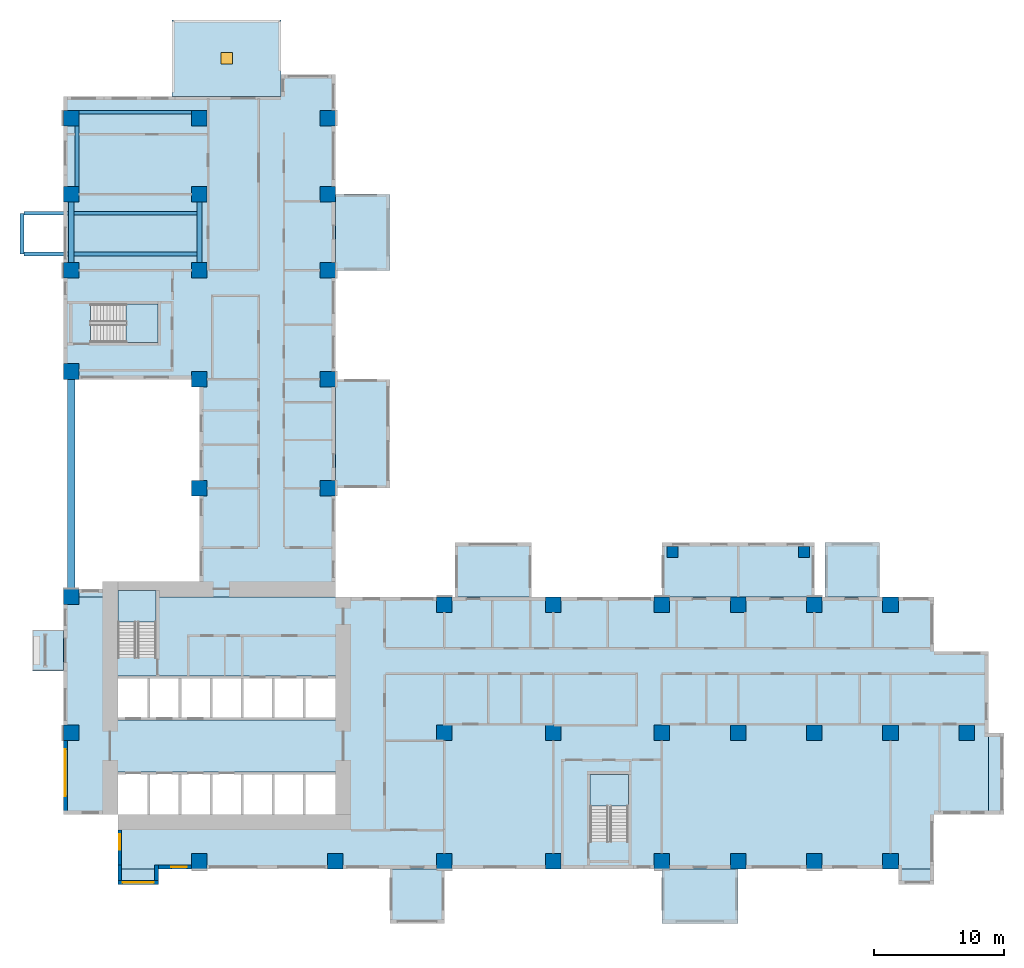
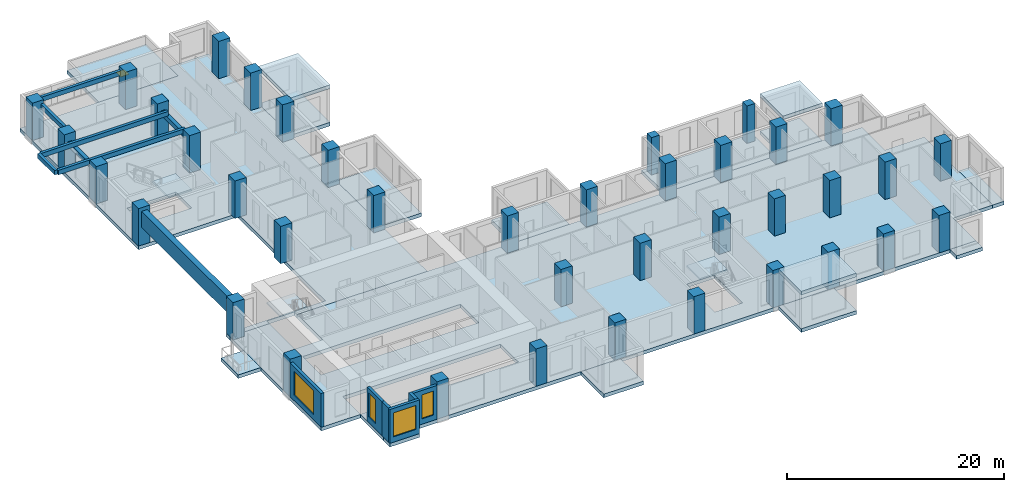
# One storey, part 1 of 14: 39 columns, 20 slabs, 6 beams, 6 walls, 5 windows, 2 members, 5 openings, 3 elements without a shape of their own.
"""IFC4 building model written with IfcOpenShell, lengths in metres."""

import ifcopenshell
import ifcopenshell.guid

model = None  # the IFC model being written
_history = None  # IfcOwnerHistory: only IFC2X3 demands one
_inside = {}  # id of a spatial element -> (the spatial element, [elements in it])
_under = {}  # id of a project, library or spatial element -> (it, [spatial elements below it])
_declared = {}  # id of a project -> (the project, [libraries it declares])
_typed = {}  # id of a type object -> (the type object, [elements of that type])
_made_of = {}  # id of a material, layer set ... -> (it, [elements and type objects made of it])


def new_model(schema):
    """Start an empty IFC model of exactly this schema.

    Asked for "IFC4X3", IfcOpenShell would pick the latest addendum, in which some entities
    have other attributes; the version numbers below select the first issue.
    IFC2X3 requires an IfcOwnerHistory on every rooted entity: one is made here for all.
    """
    global model, _history
    if schema == "IFC4X3":
        model = ifcopenshell.file(schema_version=(4, 3, 0, 0))
    else:
        model = ifcopenshell.file(schema=schema)
    _inside.clear()
    _under.clear()
    _declared.clear()
    _typed.clear()
    _made_of.clear()
    _history = None
    if model.schema == "IFC2X3":
        org = make("IfcOrganization", Name="unknown")
        user = make(
            "IfcPersonAndOrganization",
            ThePerson=make("IfcPerson", FamilyName="unknown"),
            TheOrganization=org,
        )
        app = make(
            "IfcApplication",
            ApplicationDeveloper=org,
            Version="unknown",
            ApplicationFullName="unknown",
            ApplicationIdentifier="unknown",
        )
        _history = make(
            "IfcOwnerHistory",
            OwningUser=user,
            OwningApplication=app,
            ChangeAction="ADDED",
            CreationDate=0,
        )
    return model


def make(cls, **values):
    """One entity of the class cls with the attributes given. An attribute that is None is left unset."""
    return model.create_entity(
        cls, **{name: value for name, value in values.items() if value is not None}
    )


def rooted(cls, **values):
    """An entity with a GlobalId (a new one), such as an element, a storey or a relation."""
    return make(cls, GlobalId=ifcopenshell.guid.new(), OwnerHistory=_history, **values)


def si_unit(unit_type, name, prefix=None):
    """IfcSIUnit, for example si_unit("LENGTHUNIT", "METRE", prefix="MILLI")."""
    return make("IfcSIUnit", UnitType=unit_type, Prefix=prefix, Name=name)


def assignment(units):
    """IfcUnitAssignment: the units of a project."""
    return None if units is None else make("IfcUnitAssignment", Units=units)


def point(xyz):
    """IfcCartesianPoint."""
    return None if xyz is None else make("IfcCartesianPoint", Coordinates=xyz)


def direction(xyz):
    """IfcDirection."""
    return None if xyz is None else make("IfcDirection", DirectionRatios=xyz)


def frame(location, z_axis=None, x_axis=None):
    """IfcAxis2Placement3D, a coordinate frame: its origin and axes. An axis left out is left unset."""
    return make(
        "IfcAxis2Placement3D",
        Location=point(location),
        Axis=direction(z_axis),
        RefDirection=direction(x_axis),
    )


def frame_2d(location, x_axis=None):
    """IfcAxis2Placement2D, a coordinate frame in the plane: its origin and x axis."""
    return make(
        "IfcAxis2Placement2D", Location=point(location), RefDirection=direction(x_axis)
    )


def origin():
    """The frame at (0, 0, 0) with its axes left unset."""
    return frame((0.0, 0.0, 0.0))


def origin_2d():
    """The frame at (0, 0) in the plane with its x axis left unset."""
    return frame_2d((0.0, 0.0))


def place(relative_to, where):
    """IfcLocalPlacement: puts the frame where relative to a parent placement (None: the world)."""
    return make(
        "IfcLocalPlacement", PlacementRelTo=relative_to, RelativePlacement=where
    )


def context(
    kind, dimensions, precision=None, world=None, true_north=None, identifier=None
):
    """IfcGeometricRepresentationContext, for example the 3D "Model" context."""
    return make(
        "IfcGeometricRepresentationContext",
        ContextIdentifier=identifier,
        ContextType=kind,
        CoordinateSpaceDimension=dimensions,
        Precision=precision,
        WorldCoordinateSystem=world,
        TrueNorth=true_north,
    )


def subcontext(parent, identifier, kind, view, scale=None):
    """IfcGeometricRepresentationSubContext, for example "Body" below "Model"."""
    return make(
        "IfcGeometricRepresentationSubContext",
        ContextIdentifier=identifier,
        ContextType=kind,
        ParentContext=parent,
        TargetScale=scale,
        TargetView=view,
    )


def project(units=None, contexts=None):
    """IfcProject with its units and contexts."""
    return rooted(
        "IfcProject",
        Name="project",
        RepresentationContexts=contexts,
        UnitsInContext=assignment(units),
    )


def spatial(cls, under=None, at=None, **own):
    """A site, building, storey or space (cls), placed at a placement, below another one or the project."""
    s = rooted(cls, ObjectPlacement=at, **own)
    if under is not None:
        _under.setdefault(under.id(), (under, []))[1].append(s)
    return s


def polyline(points):
    """IfcPolyline through the points."""
    return make("IfcPolyline", Points=[point(p) for p in points])


def profile(cls, at=None, kind="AREA", **sizes):
    """A parametric profile (cls). Its sizes go by their IFC names, for example OverallWidth=200.0."""
    return make(cls, ProfileType=kind, Position=at, **sizes)


def rectangle(**sizes):
    """IfcRectangleProfileDef."""
    return profile("IfcRectangleProfileDef", **sizes)


def outline(outer, holes=None, kind="AREA"):
    """IfcArbitraryClosedProfileDef: a profile drawn as a closed curve; with holes, ...WithVoids."""
    if holes is None:
        return make("IfcArbitraryClosedProfileDef", ProfileType=kind, OuterCurve=outer)
    return make(
        "IfcArbitraryProfileDefWithVoids",
        ProfileType=kind,
        OuterCurve=outer,
        InnerCurves=holes,
    )


def extrude(swept, where, along, depth):
    """IfcExtrudedAreaSolid: the profile swept, set in the frame where, extruded along a direction by depth."""
    return make(
        "IfcExtrudedAreaSolid",
        SweptArea=swept,
        Position=where,
        ExtrudedDirection=direction(along),
        Depth=depth,
    )


def shape(context_of_items, identifier, shape_type, items):
    """IfcShapeRepresentation: the items that make up one representation, for example the "Body"."""
    return make(
        "IfcShapeRepresentation",
        ContextOfItems=context_of_items,
        RepresentationIdentifier=identifier,
        RepresentationType=shape_type,
        Items=items,
    )


def source(mapping_origin, context_of_items, identifier, shape_type, items):
    """IfcRepresentationMap: a shape defined once, which mapped items show again and again."""
    return make(
        "IfcRepresentationMap",
        MappingOrigin=mapping_origin,
        MappedRepresentation=shape(context_of_items, identifier, shape_type, items),
    )


def transform(
    local_origin,
    x_axis=None,
    y_axis=None,
    z_axis=None,
    scale=None,
    scale2=None,
    scale3=None,
    uniform=True,
):
    """IfcCartesianTransformationOperator3D, or its non-uniform kind. x_axis, y_axis, z_axis: its Axis1, 2, 3."""
    if uniform:
        return make(
            "IfcCartesianTransformationOperator3D",
            Axis1=direction(x_axis),
            Axis2=direction(y_axis),
            LocalOrigin=point(local_origin),
            Scale=scale,
            Axis3=direction(z_axis),
        )
    return make(
        "IfcCartesianTransformationOperator3DnonUniform",
        Axis1=direction(x_axis),
        Axis2=direction(y_axis),
        LocalOrigin=point(local_origin),
        Scale=scale,
        Axis3=direction(z_axis),
        Scale2=scale2,
        Scale3=scale3,
    )


def mapped(mapping_source, mapping_target):
    """IfcMappedItem: shows the shape of a source again, moved by a transform."""
    return make(
        "IfcMappedItem", MappingSource=mapping_source, MappingTarget=mapping_target
    )


def material(Name=None, Category=None):
    """IfcMaterial."""
    return make("IfcMaterial", Name=Name, Category=Category)


def layer(
    of_material, thickness, ventilated=None, Name=None, Category=None, Priority=None
):
    """IfcMaterialLayer: one layer of a wall or slab, of a material (None: an air gap)."""
    return make(
        "IfcMaterialLayer",
        Material=of_material,
        LayerThickness=thickness,
        IsVentilated=ventilated,
        Name=Name,
        Category=Category,
        Priority=Priority,
    )


def layer_set(layers, Name=None):
    """IfcMaterialLayerSet."""
    return make("IfcMaterialLayerSet", MaterialLayers=layers, LayerSetName=Name)


def material_profile(
    of_material, cross_section, Name=None, Category=None, Priority=None
):
    """IfcMaterialProfile: a cross section and its material."""
    return make(
        "IfcMaterialProfile",
        Name=Name,
        Material=of_material,
        Profile=cross_section,
        Priority=Priority,
        Category=Category,
    )


def profile_set(profiles, Name=None, composite=None):
    """IfcMaterialProfileSet."""
    return make(
        "IfcMaterialProfileSet",
        Name=Name,
        MaterialProfiles=profiles,
        CompositeProfile=composite,
    )


def made_of(thing, what):
    """Note that an element or type object is made of a material, layer set ...; save() writes the relation."""
    if what is not None:
        _made_of.setdefault(what.id(), (what, []))[1].append(thing)
    return thing


def type_object(cls, material=None, **own):
    """A type object (cls), such as IfcWallType, which elements share."""
    return made_of(rooted(cls, **own), material)


def element(
    cls,
    number,
    at=None,
    inside=None,
    cuts=None,
    type_object=None,
    material=None,
    context=None,
    identifier="Body",
    shape_type=None,
    held_by="IfcProductDefinitionShape",
    body=None,
    shapes=None,
    **own,
):
    """One element of the class cls, such as IfcWall. Its Tag is "e" and its number.

    at: its placement. inside: the storey or other place that contains it. cuts: it is an
    opening in that element (IfcRelVoidsElement). A single representation is given by context,
    identifier, shape_type and body (its items); several are given by shapes. held_by: the class
    of the entity that holds the representations. save() writes the other relations.
    """
    e = rooted(cls, Tag="e%d" % number, ObjectPlacement=at, **own)
    if body is not None:
        shapes = [shape(context, identifier, shape_type, body)]
    if shapes is not None:
        e.Representation = make(held_by, Representations=shapes)
    if inside is not None:
        _inside.setdefault(inside.id(), (inside, []))[1].append(e)
    if cuts is not None:
        rooted(
            "IfcRelVoidsElement", RelatingBuildingElement=cuts, RelatedOpeningElement=e
        )
    if type_object is not None:
        _typed.setdefault(type_object.id(), (type_object, []))[1].append(e)
    return made_of(e, material)


def fill(opening, filler):
    """IfcRelFillsElement: the door or window that sits in an opening."""
    return rooted(
        "IfcRelFillsElement",
        RelatingOpeningElement=opening,
        RelatedBuildingElement=filler,
    )


def aggregate(whole, parts):
    """IfcRelAggregates: a whole, such as a stair, and the parts it consists of."""
    return rooted("IfcRelAggregates", RelatingObject=whole, RelatedObjects=parts)


def save(model, path):
    """Write the relations noted so far, then the file.

    IfcRelAggregates (storeys below a building ...), IfcRelContainedInSpatialStructure (elements
    in a storey), IfcRelDefinesByType, IfcRelAssociatesMaterial and IfcRelDeclares: one each for
    every whole, place, type object, material and project.
    """
    for whole, parts in _under.values():
        aggregate(whole, parts)
    for where, things in _inside.values():
        rooted(
            "IfcRelContainedInSpatialStructure",
            RelatedElements=things,
            RelatingStructure=where,
        )
    for kind, things in _typed.values():
        rooted("IfcRelDefinesByType", RelatedObjects=things, RelatingType=kind)
    for what, things in _made_of.values():
        rooted("IfcRelAssociatesMaterial", RelatedObjects=things, RelatingMaterial=what)
    for by, libraries in _declared.values():
        rooted("IfcRelDeclares", RelatingContext=by, RelatedDefinitions=libraries)
    model.write(path)


model = new_model("IFC4")

# Units and contexts
model_context = context("Model", 3, precision=1e-05, world=origin(), true_north=direction((0.0, 1.0)))
body_context = subcontext(model_context, "Body", "Model", "MODEL_VIEW")
ifc_project = project(units=[si_unit("LENGTHUNIT", "METRE"), si_unit("AREAUNIT", "SQUARE_METRE"), si_unit("VOLUMEUNIT", "CUBIC_METRE"), si_unit("PLANEANGLEUNIT", "RADIAN"), si_unit("MASSUNIT", "GRAM", prefix="KILO")], contexts=[model_context])

# Site, building, storey
site_placement = place(None, origin())
site = spatial("IfcSite", under=ifc_project, at=site_placement, CompositionType="ELEMENT")
building_placement = place(site_placement, origin())
building = spatial("IfcBuilding", under=site, at=building_placement, Name="Aurelian Terraces", CompositionType="ELEMENT")
storey_placement = place(building_placement, frame((0.0, 0.0, 78.3)))
storey = spatial("IfcBuildingStorey", under=building, at=storey_placement, Name="L16", CompositionType="ELEMENT", Elevation=78.3)

# Columns
ifc_material_1 = material(Name="Concrete fc' 83 MPa", Category="concrete")
ifc_material_profile_1 = material_profile(ifc_material_1, rectangle(XDim=1.2, YDim=1.2, at=origin_2d()))
ifc_profile_set_1 = profile_set([ifc_material_profile_1], Name="Concrete fc' 83 MPa")
column_type_1 = type_object("IfcColumnType", Name="RC COLUMN 1200X1200 FC83", PredefinedType="COLUMN", material=ifc_profile_set_1)
shared_shape_1 = source(origin(), body_context, "Body", "SweptSolid", [
    extrude(rectangle(XDim=1.2, YDim=1.2, at=origin_2d()), origin(), (0.0, 0.0, 1.0), 4.2),
])
for number, where, z_axis, x_axis, name in (
    (1, (10.5, 0.6, 0.0), (0.0, 0.0, 1.0), (1.0, 0.0, 0.0), "Column 2/A L16"),
    (2, (21.0, 0.6, 0.0), (0.0, 0.0, 1.0), (1.0, 0.0, 0.0), "Column 3/A L16"),
    (3, (29.4, 0.6, 0.0), (0.0, 0.0, 1.0), (1.0, 0.0, 0.0), "Column 4/A L16"),
    (4, (37.8, 0.6, 0.0), (0.0, 0.0, 1.0), (1.0, 0.0, 0.0), "Column 5/A L16"),
    (5, (46.2, 0.6, 0.0), (0.0, 0.0, 1.0), (1.0, 0.0, 0.0), "Column 6/A L16"),
    (6, (52.08, 0.6, 0.0), (0.0, 0.0, 1.0), (1.0, 0.0, 0.0), "Column 7/A L16"),
    (7, (57.96, 0.6, 0.0), (0.0, 0.0, 1.0), (1.0, 0.0, 0.0), "Column 8/A L16"),
    (8, (63.84, 0.6, 0.0), (0.0, 0.0, 1.0), (1.0, 0.0, 0.0), "Column 9/A L16"),
    (9, (0.6, 10.5, 0.0), (0.0, 0.0, 1.0), (1.0, 0.0, 0.0), "Column 1/B L16"),
    (10, (29.4, 10.5, 0.0), (0.0, 0.0, 1.0), (1.0, 0.0, 0.0), "Column 4/B L16"),
    (11, (37.8, 10.5, 0.0), (0.0, 0.0, 1.0), (1.0, 0.0, 0.0), "Column 5/B L16"),
    (12, (46.2, 10.5, 0.0), (0.0, 0.0, 1.0), (1.0, 0.0, 0.0), "Column 6/B L16"),
    (13, (52.08, 10.5, 0.0), (0.0, 0.0, 1.0), (1.0, 0.0, 0.0), "Column 7/B L16"),
    (14, (57.96, 10.5, 0.0), (0.0, 0.0, 1.0), (1.0, 0.0, 0.0), "Column 8/B L16"),
    (15, (63.84, 10.5, 0.0), (0.0, 0.0, 1.0), (1.0, 0.0, 0.0), "Column 9/B L16"),
    (16, (69.72, 10.5, 0.0), (0.0, 0.0, 1.0), (1.0, 0.0, 0.0), "Column 10/B L16"),
    (17, (0.6, 21.0, 0.0), (0.0, 0.0, 1.0), (1.0, 0.0, 0.0), "Column 1/C L16"),
    (18, (29.4, 20.4, 0.0), (0.0, 0.0, 1.0), (1.0, 0.0, 0.0), "Column 4/C L16"),
    (19, (37.8, 20.4, 0.0), (0.0, 0.0, 1.0), (1.0, 0.0, 0.0), "Column 5/C L16"),
    (20, (46.2, 20.4, 0.0), (0.0, 0.0, 1.0), (1.0, 0.0, 0.0), "Column 6/C L16"),
    (21, (52.08, 20.4, 0.0), (0.0, 0.0, 1.0), (1.0, 0.0, 0.0), "Column 7/C L16"),
    (22, (57.96, 20.4, 0.0), (0.0, 0.0, 1.0), (1.0, 0.0, 0.0), "Column 8/C L16"),
    (23, (63.84, 20.4, 0.0), (0.0, 0.0, 1.0), (1.0, 0.0, 0.0), "Column 9/C L16"),
    (24, (10.5, 29.4, 0.0), (0.0, 0.0, 1.0), (1.0, 0.0, 0.0), "Column 2/D L16"),
    (25, (20.4, 29.4, 0.0), (0.0, 0.0, 1.0), (1.0, 0.0, 0.0), "Column 3/D L16"),
    (26, (0.6, 38.4, 0.0), (0.0, 0.0, 1.0), (1.0, 0.0, 0.0), "Column 1/E L16"),
    (27, (10.5, 37.8, 0.0), (0.0, 0.0, 1.0), (1.0, 0.0, 0.0), "Column 2/E L16"),
    (28, (20.4, 37.8, 0.0), (0.0, 0.0, 1.0), (1.0, 0.0, 0.0), "Column 3/E L16"),
    (29, (0.6, 46.2, 0.0), (0.0, 0.0, 1.0), (1.0, 0.0, 0.0), "Column 1/F L16"),
    (30, (10.5, 46.2, 0.0), (0.0, 0.0, 1.0), (1.0, 0.0, 0.0), "Column 2/F L16"),
    (31, (20.4, 46.2, 0.0), (0.0, 0.0, 1.0), (1.0, 0.0, 0.0), "Column 3/F L16"),
    (32, (0.6, 52.08, 0.0), (0.0, 0.0, 1.0), (1.0, 0.0, 0.0), "Column 1/G L16"),
    (33, (10.5, 52.08, 0.0), (0.0, 0.0, 1.0), (1.0, 0.0, 0.0), "Column 2/G L16"),
    (34, (20.4, 52.08, 0.0), (0.0, 0.0, 1.0), (1.0, 0.0, 0.0), "Column 3/G L16"),
    (35, (0.6, 57.96, 0.0), (0.0, 0.0, 1.0), (1.0, 0.0, 0.0), "Column 1/H L16"),
    (36, (10.5, 57.96, 0.0), (0.0, 0.0, 1.0), (1.0, 0.0, 0.0), "Column 2/H L16"),
    (37, (20.4, 57.96, 0.0), (0.0, 0.0, 1.0), (1.0, 0.0, 0.0), "Column 3/H L16"),
):
    element("IfcColumn", number, at=place(storey_placement, frame(where, z_axis=z_axis, x_axis=x_axis)), inside=storey, type_object=column_type_1, Name=name, PredefinedType="COLUMN", context=body_context, shape_type="MappedRepresentation", body=[
        mapped(shared_shape_1, transform((0.0, 0.0, 0.0), scale=1.0)),
    ])
ifc_material_2 = material(Name="Concrete fc' 55 MPa", Category="concrete")
ifc_material_profile_2 = material_profile(ifc_material_2, rectangle(XDim=0.84, YDim=0.84, at=origin_2d()))
ifc_profile_set_2 = profile_set([ifc_material_profile_2], Name="Concrete fc' 55 MPa")
column_type_2 = type_object("IfcColumnType", Name="BLOCK CORNER PIER 840X840", PredefinedType="COLUMN", material=ifc_profile_set_2)
shared_shape_2 = source(origin(), body_context, "Body", "SweptSolid", [
    extrude(rectangle(XDim=0.84, YDim=0.84, at=origin_2d()), origin(), (0.0, 0.0, 1.0), 4.2),
])
for number, where, z_axis, x_axis, name in (
    (38, (47.0, 24.48, 0.0), (0.0, 0.0, 1.0), (1.0, 0.0, 0.0), "Block pier K01.1 L16"),
    (39, (57.16, 24.48, 0.0), (0.0, 0.0, 1.0), (1.0, 0.0, 0.0), "Block pier K01.2 L16"),
):
    element("IfcColumn", number, at=place(storey_placement, frame(where, z_axis=z_axis, x_axis=x_axis)), inside=storey, type_object=column_type_2, Name=name, PredefinedType="COLUMN", context=body_context, shape_type="MappedRepresentation", body=[
        mapped(shared_shape_2, transform((0.0, 0.0, 0.0), scale=1.0)),
    ])

# Beam
ifc_material_3 = material(Name="Concrete fc' 40 MPa", Category="concrete")
ifc_material_profile_3 = material_profile(ifc_material_3, rectangle(XDim=0.3, YDim=0.5, at=origin_2d()))
ifc_profile_set_3 = profile_set([ifc_material_profile_3], Name="Concrete fc' 40 MPa")
beam_type_1 = type_object("IfcBeamType", Name="CONCRETE CANTILEVER BEAM 300X500", PredefinedType="BEAM", material=ifc_profile_set_3)
beam_1_placement = place(storey_placement, frame((-3.2, 47.46, 3.55), z_axis=(0.0, 1.0, 0.0), x_axis=(-1.0, 0.0, 0.0)))
element("IfcBeam", 40, at=beam_1_placement, inside=storey, type_object=beam_type_1, Name="Box tip beam J22", PredefinedType="BEAM", context=body_context, shape_type="SweptSolid", body=[
    extrude(rectangle(XDim=0.3, YDim=0.5, at=origin_2d()), origin(), (0.0, 0.0, 1.0), 3.15),
])

# Member
ifc_material_profile_4 = material_profile(ifc_material_3, rectangle(XDim=0.3, YDim=0.5, at=origin_2d()))
ifc_profile_set_4 = profile_set([ifc_material_profile_4], Name="Concrete fc' 40 MPa")
member_type = type_object("IfcMemberType", Name="CONCRETE EDGE BEAM 300X500", PredefinedType="MEMBER", material=ifc_profile_set_4)
member_1_placement = place(storey_placement, frame((1.2, 58.41, 3.55), z_axis=(1.0, 0.0, 0.0), x_axis=(0.0, 1.0, 0.0)))
element("IfcMember", 41, at=member_1_placement, inside=storey, type_object=member_type, Name="Terrace edge member L17-X1.2", PredefinedType="MEMBER", context=body_context, shape_type="SweptSolid", body=[
    extrude(rectangle(XDim=0.3, YDim=0.5, at=origin_2d()), origin(), (0.0, 0.0, 1.0), 8.7),
])

# Beam
ifc_material_4 = material(Name="Concrete fc' 70 MPa", Category="concrete")
ifc_material_profile_5 = material_profile(ifc_material_4, rectangle(XDim=0.6, YDim=1.8, at=origin_2d()))
ifc_profile_set_5 = profile_set([ifc_material_profile_5], Name="Concrete fc' 70 MPa")
beam_type_2 = type_object("IfcBeamType", Name="CONCRETE HEAD GIRDER 600X1800", PredefinedType="BEAM", material=ifc_profile_set_5)
beam_2_placement = place(storey_placement, frame((0.6, 21.6, 2.9), z_axis=(0.0, 1.0, 0.0), x_axis=(-1.0, 0.0, 0.0)))
element("IfcBeam", 42, at=beam_2_placement, inside=storey, type_object=beam_type_2, Name="Sky terrace head girder SKY-02.1", PredefinedType="BEAM", context=body_context, shape_type="SweptSolid", body=[
    extrude(rectangle(XDim=0.6, YDim=1.8, at=origin_2d()), origin(), (0.0, 0.0, 1.0), 16.2),
])

# Member
shared_shape_3 = source(origin(), body_context, "Body", "SweptSolid", [
    extrude(rectangle(XDim=0.3, YDim=0.5, at=origin_2d()), origin(), (0.0, 0.0, 1.0), 4.68),
])
member_2_placement = place(storey_placement, frame((1.05, 57.36, 3.55), z_axis=(0.0, -1.0, 0.0), x_axis=(1.0, 0.0, 0.0)))
element("IfcMember", 43, at=member_2_placement, inside=storey, type_object=member_type, Name="Terrace edge member L17-X1", PredefinedType="MEMBER", context=body_context, shape_type="MappedRepresentation", body=[
    mapped(shared_shape_3, transform((0.0, 0.0, 0.0), scale=1.0)),
])

# Beams
ifc_material_profile_6 = material_profile(ifc_material_3, rectangle(XDim=0.4, YDim=0.5, at=origin_2d()))
ifc_profile_set_6 = profile_set([ifc_material_profile_6], Name="Concrete fc' 40 MPa")
beam_type_3 = type_object("IfcBeamType", Name="CONCRETE EDGE GIRDER 400X500", PredefinedType="BEAM", material=ifc_profile_set_6)
shared_shape_4 = source(origin(), body_context, "Body", "SweptSolid", [
    extrude(rectangle(XDim=0.4, YDim=0.5, at=origin_2d()), origin(), (0.0, 0.0, 1.0), 4.68),
])
for number, where, z_axis, x_axis, name in (
    (44, (0.6, 46.8, 3.05), (0.0, 1.0, 0.0), (-1.0, 0.0, 0.0), "Box girder L16 O47"),
    (45, (10.5, 46.8, 3.05), (0.0, 1.0, 0.0), (-1.0, 0.0, 0.0), "Box girder L16 I48"),
):
    element("IfcBeam", number, at=place(storey_placement, frame(where, z_axis=z_axis, x_axis=x_axis)), inside=storey, type_object=beam_type_3, Name=name, PredefinedType="BEAM", context=body_context, shape_type="MappedRepresentation", body=[
        mapped(shared_shape_4, transform((0.0, 0.0, 0.0), scale=1.0)),
    ])
shared_shape_5 = source(origin(), body_context, "Body", "SweptSolid", [
    extrude(rectangle(XDim=0.3, YDim=0.5, at=origin_2d()), origin(), (0.0, 0.0, 1.0), 13.55),
])
for number, where, z_axis, x_axis, name in (
    (46, (-3.05, 47.46, 3.55), (1.0, 0.0, 0.0), (0.0, 1.0, 0.0), "Box cantilever beam J22.1"),
    (47, (-3.05, 50.61, 3.55), (1.0, 0.0, 0.0), (0.0, 1.0, 0.0), "Box cantilever beam J22.2"),
):
    element("IfcBeam", number, at=place(storey_placement, frame(where, z_axis=z_axis, x_axis=x_axis)), inside=storey, type_object=beam_type_1, Name=name, PredefinedType="BEAM", context=body_context, shape_type="MappedRepresentation", body=[
        mapped(shared_shape_5, transform((0.0, 0.0, 0.0), scale=1.0)),
    ])

# Slabs
ifc_layer_1 = layer(ifc_material_3, 0.4)
ifc_layer_set_1 = layer_set([ifc_layer_1], Name="Balcony slab 400")
slab_type_1 = type_object("IfcSlabType", Name="Balcony slab 400", PredefinedType="NOTDEFINED", material=ifc_layer_set_1)
slab_1_placement = place(storey_placement, frame((0.0, 0.0, -0.4)))
element("IfcSlab", 48, at=slab_1_placement, inside=storey, type_object=slab_type_1, Name="Balcony slab L16 F16.37", PredefinedType="NOTDEFINED", context=body_context, shape_type="SweptSolid", body=[
    extrude(outline(polyline([(0.0, 18.45), (0.0, 15.3), (-2.4, 15.3), (-2.4, 18.45), (0.0, 18.45)])), origin(), (0.0, 0.0, 1.0), 0.4),
])
ifc_layer_2 = layer(ifc_material_3, 0.4)
ifc_layer_set_2 = layer_set([ifc_layer_2], Name="Box roof 400")
slab_type_2 = type_object("IfcSlabType", Name="Box roof 400", PredefinedType="ROOF", material=ifc_layer_set_2)
slab_2_placement = place(storey_placement, frame((0.0, 0.0, 3.8)))
element("IfcSlab", 49, at=slab_2_placement, inside=storey, type_object=slab_type_2, Name="Box roof J17", PredefinedType="ROOF", context=body_context, shape_type="SweptSolid", body=[
    extrude(outline(polyline([(63.0, 25.2), (58.8, 25.2), (58.8, 21.0), (63.0, 21.0), (63.0, 25.2)])), origin(), (0.0, 0.0, 1.0), 0.4),
])
ifc_layer_3 = layer(ifc_material_3, 0.4)
ifc_layer_set_3 = layer_set([ifc_layer_3], Name="PT FLAT PLATE 400")
slab_type_3 = type_object("IfcSlabType", Name="PT FLAT PLATE 400", PredefinedType="FLOOR", material=ifc_layer_set_3)
slab_3_placement = place(storey_placement, frame((0.0, 0.0, -0.4)))
element("IfcSlab", 50, at=slab_3_placement, inside=storey, type_object=slab_type_3, Name="Floor slab W L16", PredefinedType="FLOOR", context=body_context, shape_type="SweptSolid", body=[
    extrude(outline(polyline([(10.5, 21.6), (10.5, 37.8), (0.0, 37.8), (0.0, 59.64), (8.4, 59.64), (16.8, 59.64), (16.8, 61.32), (21.0, 61.32), (21.0, 21.0), (7.14, 21.0), (7.14, 21.49), (4.21, 21.49), (4.21, 21.0), (0.0, 21.0), (0.0, 21.6), (10.5, 21.6)]), holes=[polyline([(7.29, 43.59), (2.11, 43.59), (2.11, 40.66), (7.29, 40.66), (7.29, 43.59)])]), origin(), (0.0, 0.0, 1.0), 0.4),
])

# Slab, opening, window
ifc_layer_4 = layer(ifc_material_3, 0.4)
ifc_layer_set_4 = layer_set([ifc_layer_4], Name="Roof slab 400")
slab_type_4 = type_object("IfcSlabType", Name="Roof slab 400", PredefinedType="ROOF", material=ifc_layer_set_4)
slab_4_placement = place(storey_placement, frame((0.0, 0.0, -0.4)))
slab_4 = element("IfcSlab", 51, at=slab_4_placement, inside=storey, type_object=slab_type_4, Name="Roof slab L16 L16-X1", PredefinedType="ROOF", context=body_context, shape_type="SweptSolid", body=[
    extrude(outline(polyline([(16.8, 65.52), (16.8, 61.32), (16.8, 59.64), (8.4, 59.64), (8.4, 65.52), (16.8, 65.52)])), origin(), (0.0, 0.0, 1.0), 0.4),
])
shared_shape_6 = source(origin(), body_context, "Body", "SweptSolid", [
    extrude(rectangle(XDim=0.9, YDim=0.9, at=origin_2d()), frame((0.0, 0.0, -0.01)), (0.0, 0.0, 1.0), 0.42),
])
opening_1_placement = place(slab_4_placement, frame((12.6, 62.58, 0.0)))
opening_1 = element("IfcOpeningElement", 52, at=opening_1_placement, cuts=slab_4, Name="Opening RH1", PredefinedType="OPENING", context=body_context, shape_type="MappedRepresentation", body=[
    mapped(shared_shape_6, transform((0.0, 0.0, 0.0), scale=1.0)),
])
ifc_material_5 = material(Name="Clear glazing", Category="glass")
window_type_1 = type_object("IfcWindowType", Name="ROOF HATCH", PartitioningType="SINGLE_PANEL", PredefinedType="SKYLIGHT", material=ifc_material_5)
shared_shape_7 = source(origin(), body_context, "Body", "SweptSolid", [
    extrude(rectangle(XDim=0.9, YDim=0.9, at=origin_2d()), origin(), (0.0, 0.0, 1.0), 0.05),
])
window_1_placement = place(opening_1_placement, frame((0.0, 0.0, 0.35)))
window_1 = element("IfcWindow", 53, at=window_1_placement, inside=storey, type_object=window_type_1, Name="Roof access hatch L16", OverallHeight=0.9, OverallWidth=0.9, PartitioningType="SINGLE_PANEL", PredefinedType="SKYLIGHT", context=body_context, shape_type="MappedRepresentation", body=[
    mapped(shared_shape_7, transform((0.0, 0.0, 0.0), scale=1.0)),
])
fill(opening_1, window_1)

# Slabs
shared_shape_8 = source(origin(), body_context, "Body", "SweptSolid", [
    extrude(outline(polyline([(71.4, 16.8), (71.4, 4.2), (67.2, 4.2), (67.2, 0.0), (21.0, 0.0), (4.2, 0.0), (4.2, 4.2), (0.0, 4.2), (0.0, 21.0), (4.21, 21.0), (4.21, 16.31), (7.14, 16.31), (7.14, 21.0), (21.0, 21.0), (67.2, 21.0), (67.2, 16.8), (71.4, 16.8)]), holes=[polyline([(40.66, 2.11), (43.59, 2.11), (43.59, 7.29), (40.66, 7.29), (40.66, 2.11)]), polyline([(4.21, 7.49), (4.21, 4.21), (20.99, 4.21), (20.99, 7.49), (4.21, 7.49)]), polyline([(4.21, 14.89), (4.21, 11.51), (20.99, 11.51), (20.99, 14.89), (4.21, 14.89)])]), origin(), (0.0, 0.0, 1.0), 0.4),
])
slab_5_placement = place(storey_placement, frame((0.0, 0.0, -0.4)))
element("IfcSlab", 54, at=slab_5_placement, inside=storey, type_object=slab_type_3, Name="Floor slab S L16", PredefinedType="FLOOR", context=body_context, shape_type="MappedRepresentation", body=[
    mapped(shared_shape_8, transform((0.0, 0.0, 0.0), scale=1.0)),
])
ifc_layer_5 = layer(ifc_material_3, 0.41)
ifc_layer_set_5 = layer_set([ifc_layer_5], Name="Box floor 410")
slab_type_5 = type_object("IfcSlabType", Name="Box floor 410", PredefinedType="NOTDEFINED", material=ifc_layer_set_5)
shared_shape_9 = source(origin(), body_context, "Body", "SweptSolid", [
    extrude(outline(polyline([(46.2, -4.2), (52.08, -4.2), (52.08, 0.0), (46.2, 0.0), (46.2, -4.2)])), origin(), (0.0, 0.0, 1.0), 0.41),
])
slab_6_placement = place(storey_placement, frame((0.0, 0.0, -0.41)))
element("IfcSlab", 55, at=slab_6_placement, inside=storey, type_object=slab_type_5, Name="Box floor L16 J16", PredefinedType="NOTDEFINED", context=body_context, shape_type="MappedRepresentation", body=[
    mapped(shared_shape_9, transform((0.0, 0.0, 0.0), scale=1.0)),
])
shared_shape_10 = source(origin(), body_context, "Body", "SweptSolid", [
    extrude(outline(polyline([(25.2, 46.2), (25.2, 52.08), (21.0, 52.08), (21.0, 46.2), (25.2, 46.2)])), origin(), (0.0, 0.0, 1.0), 0.41),
])
slab_7_placement = place(storey_placement, frame((0.0, 0.0, -0.41)))
element("IfcSlab", 56, at=slab_7_placement, inside=storey, type_object=slab_type_5, Name="Box floor L16 J18", PredefinedType="NOTDEFINED", context=body_context, shape_type="MappedRepresentation", body=[
    mapped(shared_shape_10, transform((0.0, 0.0, 0.0), scale=1.0)),
])
shared_shape_11 = source(origin(), body_context, "Body", "SweptSolid", [
    extrude(outline(polyline([(25.2, 29.4), (25.2, 37.8), (21.0, 37.8), (21.0, 29.4), (25.2, 29.4)])), origin(), (0.0, 0.0, 1.0), 0.41),
])
slab_8_placement = place(storey_placement, frame((0.0, 0.0, -0.41)))
element("IfcSlab", 57, at=slab_8_placement, inside=storey, type_object=slab_type_5, Name="Box floor L16 J21", PredefinedType="NOTDEFINED", context=body_context, shape_type="MappedRepresentation", body=[
    mapped(shared_shape_11, transform((0.0, 0.0, 0.0), scale=1.0)),
])
shared_shape_12 = source(origin(), body_context, "Body", "SweptSolid", [
    extrude(outline(polyline([(57.96, 25.2), (46.2, 25.2), (46.2, 21.0), (57.96, 21.0), (57.96, 25.2)])), origin(), (0.0, 0.0, 1.0), 0.41),
])
slab_9_placement = place(storey_placement, frame((0.0, 0.0, -0.41)))
element("IfcSlab", 58, at=slab_9_placement, inside=storey, type_object=slab_type_5, Name="Box floor L16 K01", PredefinedType="NOTDEFINED", context=body_context, shape_type="MappedRepresentation", body=[
    mapped(shared_shape_12, transform((0.0, 0.0, 0.0), scale=1.0)),
])
ifc_layer_6 = layer(ifc_material_3, 0.4)
ifc_layer_set_6 = layer_set([ifc_layer_6], Name="Bay floor 400")
slab_type_6 = type_object("IfcSlabType", Name="Bay floor 400", PredefinedType="NOTDEFINED", material=ifc_layer_set_6)
shared_shape_13 = source(origin(), body_context, "Body", "SweptSolid", [
    extrude(outline(polyline([(4.2, 0.0), (7.35, 0.0), (7.35, -1.2), (4.2, -1.2), (4.2, 0.0)])), origin(), (0.0, 0.0, 1.0), 0.4),
])
slab_10_placement = place(storey_placement, frame((0.0, 0.0, -0.4)))
element("IfcSlab", 59, at=slab_10_placement, inside=storey, type_object=slab_type_6, Name="Bay floor L16 F01.1", PredefinedType="NOTDEFINED", context=body_context, shape_type="MappedRepresentation", body=[
    mapped(shared_shape_13, transform((0.0, 0.0, 0.0), scale=1.0)),
])
shared_shape_14 = source(origin(), body_context, "Body", "SweptSolid", [
    extrude(outline(polyline([(64.44, 0.0), (67.2, 0.0), (67.2, -1.2), (64.44, -1.2), (64.44, 0.0)])), origin(), (0.0, 0.0, 1.0), 0.4),
])
slab_11_placement = place(storey_placement, frame((0.0, 0.0, -0.4)))
element("IfcSlab", 60, at=slab_11_placement, inside=storey, type_object=slab_type_6, Name="Bay floor L16 F01.10", PredefinedType="NOTDEFINED", context=body_context, shape_type="MappedRepresentation", body=[
    mapped(shared_shape_14, transform((0.0, 0.0, 0.0), scale=1.0)),
])
shared_shape_15 = source(origin(), body_context, "Body", "SweptSolid", [
    extrude(outline(polyline([(36.12, 25.2), (30.24, 25.2), (30.24, 21.0), (36.12, 21.0), (36.12, 25.2)])), origin(), (0.0, 0.0, 1.0), 0.41),
])
slab_12_placement = place(storey_placement, frame((0.0, 0.0, -0.41)))
element("IfcSlab", 61, at=slab_12_placement, inside=storey, type_object=slab_type_5, Name="Box floor L16 J20", PredefinedType="NOTDEFINED", context=body_context, shape_type="MappedRepresentation", body=[
    mapped(shared_shape_15, transform((0.0, 0.0, 0.0), scale=1.0)),
])
shared_shape_16 = source(origin(), body_context, "Body", "SweptSolid", [
    extrude(outline(polyline([(71.4, 4.2), (71.4, 10.5), (72.6, 10.5), (72.6, 4.2), (71.4, 4.2)])), origin(), (0.0, 0.0, 1.0), 0.4),
])
slab_13_placement = place(storey_placement, frame((0.0, 0.0, -0.4)))
element("IfcSlab", 62, at=slab_13_placement, inside=storey, type_object=slab_type_6, Name="Bay floor L16 F04.14", PredefinedType="NOTDEFINED", context=body_context, shape_type="MappedRepresentation", body=[
    mapped(shared_shape_16, transform((0.0, 0.0, 0.0), scale=1.0)),
])
shared_shape_17 = source(origin(), body_context, "Body", "SweptSolid", [
    extrude(outline(polyline([(46.2, -4.2), (52.08, -4.2), (52.08, 0.0), (46.2, 0.0), (46.2, -4.2)])), origin(), (0.0, 0.0, 1.0), 0.4),
])
slab_14_placement = place(storey_placement, frame((0.0, 0.0, 3.8)))
element("IfcSlab", 63, at=slab_14_placement, inside=storey, type_object=slab_type_2, Name="Box roof J16", PredefinedType="ROOF", context=body_context, shape_type="MappedRepresentation", body=[
    mapped(shared_shape_17, transform((0.0, 0.0, 0.0), scale=1.0)),
])
shared_shape_18 = source(origin(), body_context, "Body", "SweptSolid", [
    extrude(outline(polyline([(25.2, -4.2), (29.4, -4.2), (29.4, 0.0), (25.2, 0.0), (25.2, -4.2)])), origin(), (0.0, 0.0, 1.0), 0.41),
])
slab_15_placement = place(storey_placement, frame((0.0, 0.0, -0.41)))
element("IfcSlab", 64, at=slab_15_placement, inside=storey, type_object=slab_type_5, Name="Box floor L16 J19", PredefinedType="NOTDEFINED", context=body_context, shape_type="MappedRepresentation", body=[
    mapped(shared_shape_18, transform((0.0, 0.0, 0.0), scale=1.0)),
])
shared_shape_19 = source(origin(), body_context, "Body", "SweptSolid", [
    extrude(outline(polyline([(63.0, 25.2), (58.8, 25.2), (58.8, 21.0), (63.0, 21.0), (63.0, 25.2)])), origin(), (0.0, 0.0, 1.0), 0.41),
])
slab_16_placement = place(storey_placement, frame((0.0, 0.0, -0.41)))
element("IfcSlab", 65, at=slab_16_placement, inside=storey, type_object=slab_type_5, Name="Box floor L16 J17", PredefinedType="NOTDEFINED", context=body_context, shape_type="MappedRepresentation", body=[
    mapped(shared_shape_19, transform((0.0, 0.0, 0.0), scale=1.0)),
])
shared_shape_20 = source(origin(), body_context, "Body", "SweptSolid", [
    extrude(outline(polyline([(25.2, 46.2), (25.2, 52.08), (21.0, 52.08), (21.0, 46.2), (25.2, 46.2)])), origin(), (0.0, 0.0, 1.0), 0.4),
])
slab_17_placement = place(storey_placement, frame((0.0, 0.0, 3.8)))
element("IfcSlab", 66, at=slab_17_placement, inside=storey, type_object=slab_type_2, Name="Box roof J18", PredefinedType="ROOF", context=body_context, shape_type="MappedRepresentation", body=[
    mapped(shared_shape_20, transform((0.0, 0.0, 0.0), scale=1.0)),
])

# Stair, slab
stair_type = type_object("IfcStairType", Name="Stair 1400", PredefinedType="HALF_TURN_STAIR", material=ifc_material_3)
stair_1_placement = place(storey_placement, origin())
stair_1 = element("IfcStair", 67, at=stair_1_placement, inside=storey, type_object=stair_type, Name="L16 S1", PredefinedType="HALF_TURN_STAIR")
ifc_layer_7 = layer(ifc_material_3, 0.2)
ifc_layer_set_7 = layer_set([ifc_layer_7], Name="Stair landing 200")
slab_type_7 = type_object("IfcSlabType", Name="Stair landing 200", PredefinedType="LANDING", material=ifc_layer_set_7)
shared_shape_21 = source(origin(), body_context, "Body", "SweptSolid", [
    extrude(outline(polyline([(7.15, 19.05), (7.15, 21.5), (4.2, 21.5), (4.2, 19.05), (7.15, 19.05)])), origin(), (0.0, 0.0, 1.0), 0.2),
])
slab_18_placement = place(storey_placement, frame((0.0, 0.0, 1.9)))
slab_18 = element("IfcSlab", 68, at=slab_18_placement, type_object=slab_type_7, Name="S1 landing 1", PredefinedType="LANDING", context=body_context, shape_type="MappedRepresentation", body=[
    mapped(shared_shape_21, transform((0.0, 0.0, 0.0), scale=1.0)),
])
aggregate(stair_1, [slab_18])

stair_2_placement = place(storey_placement, origin())
stair_2 = element("IfcStair", 69, at=stair_2_placement, inside=storey, type_object=stair_type, Name="L16 S2", PredefinedType="HALF_TURN_STAIR")
shared_shape_22 = source(origin(), body_context, "Body", "SweptSolid", [
    extrude(outline(polyline([(43.6, 4.85), (43.6, 7.3), (40.65, 7.3), (40.65, 4.85), (43.6, 4.85)])), origin(), (0.0, 0.0, 1.0), 0.2),
])
slab_19_placement = place(storey_placement, frame((0.0, 0.0, 1.9)))
slab_19 = element("IfcSlab", 70, at=slab_19_placement, type_object=slab_type_7, Name="S2 landing 1", PredefinedType="LANDING", context=body_context, shape_type="MappedRepresentation", body=[
    mapped(shared_shape_22, transform((0.0, 0.0, 0.0), scale=1.0)),
])
aggregate(stair_2, [slab_19])

stair_3_placement = place(storey_placement, origin())
stair_3 = element("IfcStair", 71, at=stair_3_placement, inside=storey, type_object=stair_type, Name="L16 S3", PredefinedType="HALF_TURN_STAIR")
shared_shape_23 = source(origin(), body_context, "Body", "SweptSolid", [
    extrude(outline(polyline([(4.85, 40.65), (7.3, 40.65), (7.3, 43.6), (4.85, 43.6), (4.85, 40.65)])), origin(), (0.0, 0.0, 1.0), 0.2),
])
slab_20_placement = place(storey_placement, frame((0.0, 0.0, 1.9)))
slab_20 = element("IfcSlab", 72, at=slab_20_placement, type_object=slab_type_7, Name="S3 landing 1", PredefinedType="LANDING", context=body_context, shape_type="MappedRepresentation", body=[
    mapped(shared_shape_23, transform((0.0, 0.0, 0.0), scale=1.0)),
])
aggregate(stair_3, [slab_20])

# Wall, opening, window
ifc_material_6 = material(Name="Terracotta rainscreen cladding", Category="masonry")
ifc_layer_8 = layer(ifc_material_6, 0.3)
ifc_layer_set_8 = layer_set([ifc_layer_8], Name="EW-300")
wall_type = type_object("IfcWallType", Name="EW-300", PredefinedType="STANDARD", material=ifc_layer_set_8)
shared_shape_24 = source(origin(), body_context, "Body", "SweptSolid", [
    extrude(rectangle(XDim=3.15, YDim=0.3, at=frame_2d((1.575, 0.0))), origin(), (0.0, 0.0, 1.0), 3.8),
])
wall_1_placement = place(storey_placement, frame((4.2, -1.05, 0.0), z_axis=(0.0, 0.0, 1.0), x_axis=(1.0, 0.0, 0.0)))
wall_1 = element("IfcWall", 73, at=wall_1_placement, inside=storey, type_object=wall_type, Name="Bay wall L16 F01.1", PredefinedType="STANDARD", context=body_context, shape_type="MappedRepresentation", body=[
    mapped(shared_shape_24, transform((0.0, 0.0, 0.0), scale=1.0)),
])
shared_shape_25 = source(origin(), body_context, "Body", "SweptSolid", [
    extrude(rectangle(XDim=2.4, YDim=2.7, at=frame_2d((1.2, 1.35))), frame((0.0, 0.16, 0.0), z_axis=(0.0, -1.0, 0.0), x_axis=(1.0, 0.0, 0.0)), (0.0, 0.0, 1.0), 0.32),
])
opening_2_placement = place(wall_1_placement, frame((0.375, 0.0, 0.6)))
opening_2 = element("IfcOpeningElement", 74, at=opening_2_placement, cuts=wall_1, Name="Opening W2427", PredefinedType="OPENING", context=body_context, shape_type="MappedRepresentation", body=[
    mapped(shared_shape_25, transform((0.0, 0.0, 0.0), scale=1.0)),
])
window_type_2 = type_object("IfcWindowType", Name="W-2400x2700", PartitioningType="SINGLE_PANEL", PredefinedType="WINDOW", material=ifc_material_5)
shared_shape_26 = source(origin(), body_context, "Body", "SweptSolid", [
    extrude(rectangle(XDim=2.4, YDim=2.7, at=frame_2d((1.2, 1.35))), frame((0.0, 0.03, 0.0), z_axis=(0.0, -1.0, 0.0), x_axis=(1.0, 0.0, 0.0)), (0.0, 0.0, 1.0), 0.06),
])
window_2_placement = place(opening_2_placement, origin())
window_2 = element("IfcWindow", 75, at=window_2_placement, inside=storey, type_object=window_type_2, Name="Window L16 L16-F01-01-0", OverallHeight=2.7, OverallWidth=2.4, PartitioningType="SINGLE_PANEL", PredefinedType="WINDOW", context=body_context, shape_type="MappedRepresentation", body=[
    mapped(shared_shape_26, transform((0.0, 0.0, 0.0), scale=1.0)),
])
fill(opening_2, window_2)

# Walls
shared_shape_27 = source(origin(), body_context, "Body", "SweptSolid", [
    extrude(rectangle(XDim=1.2, YDim=0.3, at=frame_2d((0.6, 0.0))), origin(), (0.0, 0.0, 1.0), 3.8),
])
for number, where, z_axis, x_axis, name in (
    (76, (4.35, 0.3, 0.0), (0.0, 0.0, 1.0), (0.0, -1.0, 0.0), "Bay return L16 F01.1.1"),
    (77, (7.2, 0.3, 0.0), (0.0, 0.0, 1.0), (0.0, -1.0, 0.0), "Bay return L16 F01.1.2"),
):
    element("IfcWall", number, at=place(storey_placement, frame(where, z_axis=z_axis, x_axis=x_axis)), inside=storey, type_object=wall_type, Name=name, PredefinedType="STANDARD", context=body_context, shape_type="MappedRepresentation", body=[
        mapped(shared_shape_27, transform((0.0, 0.0, 0.0), scale=1.0)),
    ])

# Wall, opening, window
shared_shape_28 = source(origin(), body_context, "Body", "SweptSolid", [
    extrude(rectangle(XDim=3.0, YDim=0.3, at=frame_2d((1.5, 0.0))), origin(), (0.0, 0.0, 1.0), 3.8),
])
wall_2_placement = place(storey_placement, frame((4.35, 3.0, 0.0), z_axis=(0.0, 0.0, 1.0), x_axis=(0.0, -1.0, 0.0)))
wall_2 = element("IfcWall", 78, at=wall_2_placement, inside=storey, type_object=wall_type, Name="External wall L16 F18.40", PredefinedType="STANDARD", context=body_context, shape_type="MappedRepresentation", body=[
    mapped(shared_shape_28, transform((0.0, 0.0, 0.0), scale=1.0)),
])
shared_shape_29 = source(origin(), body_context, "Body", "SweptSolid", [
    extrude(rectangle(XDim=1.2, YDim=2.7, at=frame_2d((0.6, 1.35))), frame((0.0, 0.16, 0.0), z_axis=(0.0, -1.0, 0.0), x_axis=(1.0, 0.0, 0.0)), (0.0, 0.0, 1.0), 0.32),
])
opening_3_placement = place(wall_2_placement, frame((0.3, 0.0, 0.6)))
opening_3 = element("IfcOpeningElement", 79, at=opening_3_placement, cuts=wall_2, Name="Opening W1227", PredefinedType="OPENING", context=body_context, shape_type="MappedRepresentation", body=[
    mapped(shared_shape_29, transform((0.0, 0.0, 0.0), scale=1.0)),
])
window_type_3 = type_object("IfcWindowType", Name="W-1200x2700", PartitioningType="SINGLE_PANEL", PredefinedType="WINDOW", material=ifc_material_5)
shared_shape_30 = source(origin(), body_context, "Body", "SweptSolid", [
    extrude(rectangle(XDim=1.2, YDim=2.7, at=frame_2d((0.6, 1.35))), frame((0.0, 0.03, 0.0), z_axis=(0.0, -1.0, 0.0), x_axis=(1.0, 0.0, 0.0)), (0.0, 0.0, 1.0), 0.06),
])
window_3_placement = place(opening_3_placement, origin())
window_3 = element("IfcWindow", 80, at=window_3_placement, inside=storey, type_object=window_type_3, Name="Window L16 L16-F18-40-0", OverallHeight=2.7, OverallWidth=1.2, PartitioningType="SINGLE_PANEL", PredefinedType="WINDOW", context=body_context, shape_type="MappedRepresentation", body=[
    mapped(shared_shape_30, transform((0.0, 0.0, 0.0), scale=1.0)),
])
fill(opening_3, window_3)

shared_shape_31 = source(origin(), body_context, "Body", "SweptSolid", [
    extrude(rectangle(XDim=2.55, YDim=0.3, at=frame_2d((1.275, 0.0))), origin(), (0.0, 0.0, 1.0), 3.8),
])
wall_3_placement = place(storey_placement, frame((7.35, 0.15, 0.0), z_axis=(0.0, 0.0, 1.0), x_axis=(1.0, 0.0, 0.0)))
wall_3 = element("IfcWall", 81, at=wall_3_placement, inside=storey, type_object=wall_type, Name="External wall L16 F01.2", PredefinedType="STANDARD", context=body_context, shape_type="MappedRepresentation", body=[
    mapped(shared_shape_31, transform((0.0, 0.0, 0.0), scale=1.0)),
])
opening_4_placement = place(wall_3_placement, frame((0.975, 0.0, 0.6)))
opening_4 = element("IfcOpeningElement", 82, at=opening_4_placement, cuts=wall_3, Name="Opening W1227", PredefinedType="OPENING", context=body_context, shape_type="MappedRepresentation", body=[
    mapped(shared_shape_29, transform((0.0, 0.0, 0.0), scale=1.0)),
])
window_4_placement = place(opening_4_placement, origin())
window_4 = element("IfcWindow", 83, at=window_4_placement, inside=storey, type_object=window_type_3, Name="Window L16 L16-F01-02-0", OverallHeight=2.7, OverallWidth=1.2, PartitioningType="SINGLE_PANEL", PredefinedType="WINDOW", context=body_context, shape_type="MappedRepresentation", body=[
    mapped(shared_shape_30, transform((0.0, 0.0, 0.0), scale=1.0)),
])
fill(opening_4, window_4)

shared_shape_32 = source(origin(), body_context, "Body", "SweptSolid", [
    extrude(rectangle(XDim=5.7, YDim=0.3, at=frame_2d((2.85, 0.0))), origin(), (0.0, 0.0, 1.0), 3.8),
])
wall_4_placement = place(storey_placement, frame((0.15, 9.9, 0.0), z_axis=(0.0, 0.0, 1.0), x_axis=(0.0, -1.0, 0.0)))
wall_4 = element("IfcWall", 84, at=wall_4_placement, inside=storey, type_object=wall_type, Name="External wall L16 F16.38", PredefinedType="STANDARD", context=body_context, shape_type="MappedRepresentation", body=[
    mapped(shared_shape_32, transform((0.0, 0.0, 0.0), scale=1.0)),
])
shared_shape_33 = source(origin(), body_context, "Body", "SweptSolid", [
    extrude(rectangle(XDim=3.6, YDim=2.7, at=frame_2d((1.8, 1.35))), frame((0.0, 0.16, 0.0), z_axis=(0.0, -1.0, 0.0), x_axis=(1.0, 0.0, 0.0)), (0.0, 0.0, 1.0), 0.32),
])
opening_5_placement = place(wall_4_placement, frame((0.675, 0.0, 0.6)))
opening_5 = element("IfcOpeningElement", 85, at=opening_5_placement, cuts=wall_4, Name="Opening W3627", PredefinedType="OPENING", context=body_context, shape_type="MappedRepresentation", body=[
    mapped(shared_shape_33, transform((0.0, 0.0, 0.0), scale=1.0)),
])
window_type_4 = type_object("IfcWindowType", Name="W-3600x2700", PartitioningType="SINGLE_PANEL", PredefinedType="WINDOW", material=ifc_material_5)
shared_shape_34 = source(origin(), body_context, "Body", "SweptSolid", [
    extrude(rectangle(XDim=3.6, YDim=2.7, at=frame_2d((1.8, 1.35))), frame((0.0, 0.03, 0.0), z_axis=(0.0, -1.0, 0.0), x_axis=(1.0, 0.0, 0.0)), (0.0, 0.0, 1.0), 0.06),
])
window_5_placement = place(opening_5_placement, origin())
window_5 = element("IfcWindow", 86, at=window_5_placement, inside=storey, type_object=window_type_4, Name="Window L16 L16-F16-38-1", OverallHeight=2.7, OverallWidth=3.6, PartitioningType="SINGLE_PANEL", PredefinedType="WINDOW", context=body_context, shape_type="MappedRepresentation", body=[
    mapped(shared_shape_34, transform((0.0, 0.0, 0.0), scale=1.0)),
])
fill(opening_5, window_5)

save(model, "model.ifc")
